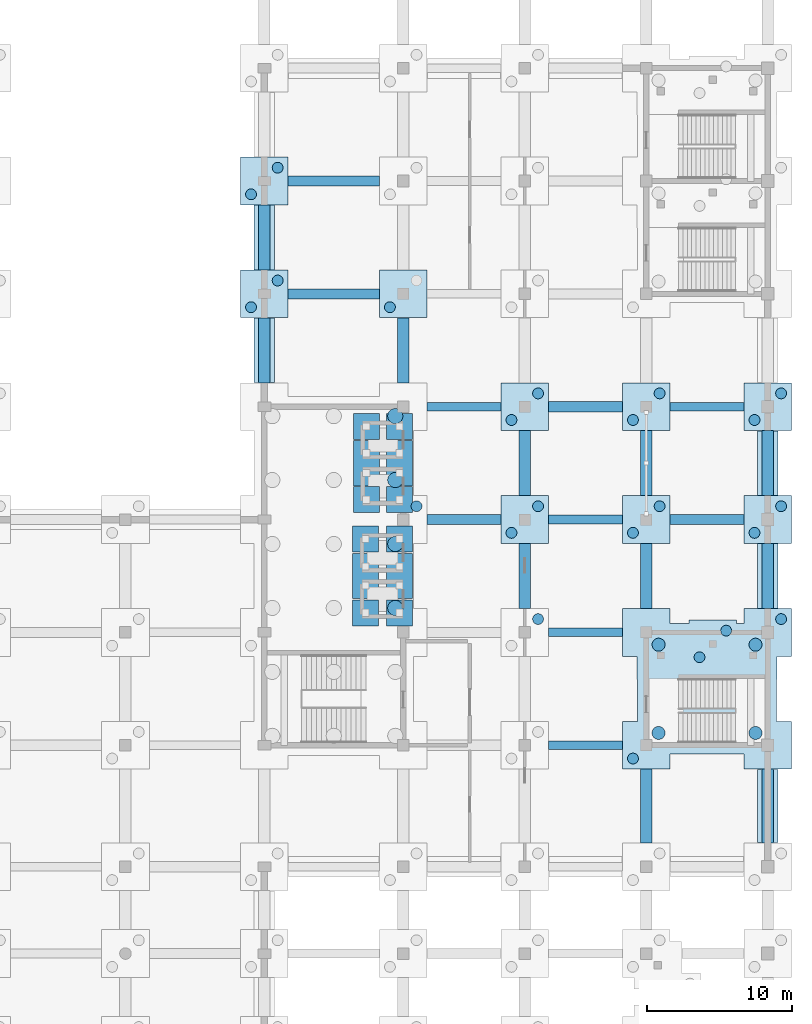
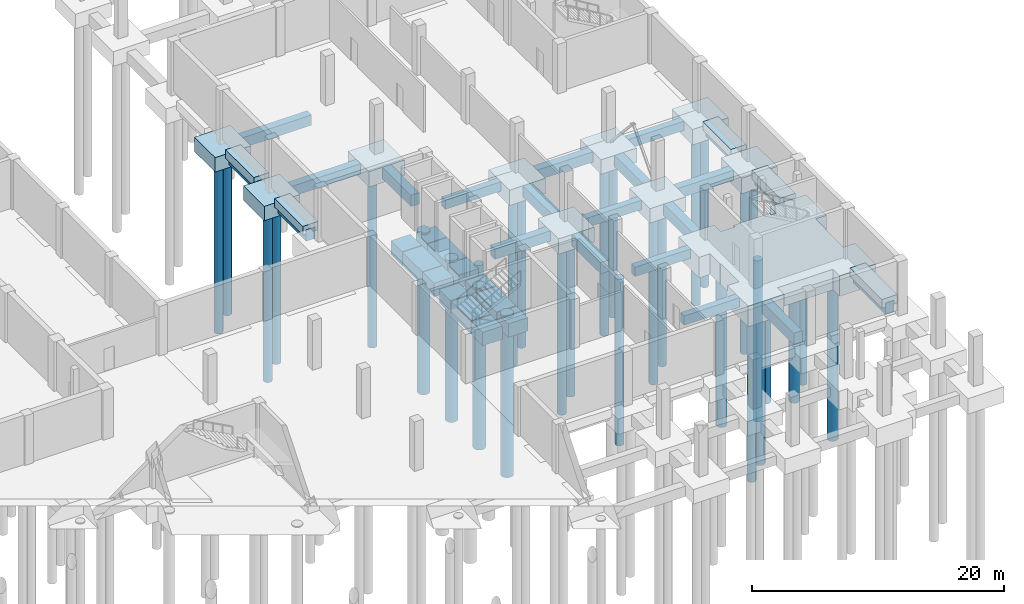
# One storey, part 13 of 42: 48 footings, 31 piles.
"""IFC4 building model written with IfcOpenShell, lengths in metres."""

from ifc_helpers import new_model, si_unit, direction, frame, origin, origin_2d, place, context, subcontext, project, spatial, polyline, rectangle, circle, outline, extrude, material, layer, layer_set, material_profile, profile_set, type_object, element, save


model = new_model("IFC4")

# Units and contexts
model_context = context("Model", 3, precision=1e-05, world=origin(), true_north=direction((0.0, 1.0)))
body_context = subcontext(model_context, "Body", "Model", "MODEL_VIEW")
ifc_project = project(units=[si_unit("LENGTHUNIT", "METRE"), si_unit("AREAUNIT", "SQUARE_METRE"), si_unit("VOLUMEUNIT", "CUBIC_METRE"), si_unit("PLANEANGLEUNIT", "RADIAN"), si_unit("MASSUNIT", "GRAM", prefix="KILO")], contexts=[model_context])

# Site, building, storey
site_placement = place(None, origin())
site = spatial("IfcSite", under=ifc_project, at=site_placement, CompositionType="ELEMENT")
building_placement = place(site_placement, origin())
building = spatial("IfcBuilding", under=site, at=building_placement, Name="Pellamere Symphony Hall", CompositionType="ELEMENT")
storey_placement = place(building_placement, frame((0.0, 0.0, -4.800048828125)))
storey = spatial("IfcBuildingStorey", under=building, at=storey_placement, Name="B1", CompositionType="ELEMENT", Elevation=-4.800048828125)

# Piles
ifc_material_1 = material(Name="Concrete 40 MPa", Category="concrete")
ifc_material_profile_1 = material_profile(ifc_material_1, circle(Radius=0.52490234375, at=origin_2d()), Name="PILE D1050")
ifc_profile_set_1 = profile_set([ifc_material_profile_1], Name="Concrete 40 MPa")
pile_type_1 = type_object("IfcPileType", Name="Bored Pile 1050mm Concrete 40 MPa", PredefinedType="BORED", material=ifc_profile_set_1)
for number, where, z_axis, x_axis, name in (
    (1, (147.050048828125, 47.889892578125, -2.300048828125), (0.0, 0.0, -1.0), (1.0, 0.0, 0.0), "Bored Pile BP-1050-P263"),
    (2, (147.050048828125, 52.31005859375, -2.300048828125), (0.0, 0.0, -1.0), (1.0, 0.0, 0.0), "Bored Pile BP-1050-P264"),
    (3, (147.050048828125, 56.72998046875, -2.300048828125), (0.0, 0.0, -1.0), (1.0, 0.0, 0.0), "Bored Pile BP-1050-P265"),
    (4, (147.050048828125, 61.14990234375, -2.300048828125), (0.0, 0.0, -1.0), (1.0, 0.0, 0.0), "Bored Pile BP-1050-P266"),
):
    element("IfcPile", number, at=place(storey_placement, frame(where, z_axis=z_axis, x_axis=x_axis)), inside=storey, type_object=pile_type_1, Name=name, PredefinedType="BORED", context=body_context, shape_type="SweptSolid", body=[
        extrude(circle(Radius=0.52490234375, at=origin_2d()), origin(), (0.0, 0.0, 1.0), 15.699951171875),
    ])
ifc_material_2 = material(Name="Concrete 35 MPa", Category="concrete")
ifc_material_profile_2 = material_profile(ifc_material_2, circle(Radius=0.375, at=origin_2d()), Name="PILE D750")
ifc_profile_set_2 = profile_set([ifc_material_profile_2], Name="Concrete 35 MPa")
pile_type_2 = type_object("IfcPileType", Name="Bored Pile 750mm Concrete 35 MPa", PredefinedType="BORED", material=ifc_profile_set_2)
pile_1_placement = place(storey_placement, frame((148.52001953125, 54.919921875, -2.300048828125), z_axis=(0.0, 0.0, -1.0), x_axis=(1.0, 0.0, 0.0)))
element("IfcPile", 5, at=pile_1_placement, inside=storey, type_object=pile_type_2, Name="Bored Pile BP-750-P268", PredefinedType="BORED", context=body_context, shape_type="SweptSolid", body=[
    extrude(circle(Radius=0.375, at=origin_2d()), origin(), (0.0, 0.0, 1.0), 15.699951171875),
])
for number, where, z_axis, x_axis, name in (
    (6, (163.47998046875, 37.47998046875, -2.349853515625), (0.0, 0.0, -1.0), (1.0, 0.0, 0.0), "Bored Pile BP-750-P275"),
    (7, (173.719970703125, 47.1201171875, -2.349853515625), (0.0, 0.0, -1.0), (1.0, 0.0, 0.0), "Bored Pile BP-750-P276"),
    (8, (168.080078125, 44.47998046875, -2.349853515625), (0.0, 0.0, -1.0), (1.0, 0.0, 0.0), "Bored Pile BP-750-P277"),
    (9, (169.919921875, 46.320068359375, -2.349853515625), (0.0, 0.0, -1.0), (1.0, 0.0, 0.0), "Bored Pile BP-750-P278"),
):
    element("IfcPile", number, at=place(storey_placement, frame(where, z_axis=z_axis, x_axis=x_axis)), inside=storey, type_object=pile_type_2, Name=name, PredefinedType="BORED", context=body_context, shape_type="SweptSolid", body=[
        extrude(circle(Radius=0.375, at=origin_2d()), origin(), (0.0, 0.0, 1.0), 15.64990234375),
    ])
for number, where, z_axis, x_axis, name in (
    (10, (156.919921875, 47.1201171875, -1.849853515625), (0.0, 0.0, -1.0), (1.0, 0.0, 0.0), "Bored Pile BP-750-P316"),
    (11, (155.080078125, 53.080078125, -1.849853515625), (0.0, 0.0, -1.0), (1.0, 0.0, 0.0), "Bored Pile BP-750-P339"),
    (12, (156.919921875, 54.919921875, -1.849853515625), (0.0, 0.0, -1.0), (1.0, 0.0, 0.0), "Bored Pile BP-750-P340"),
):
    element("IfcPile", number, at=place(storey_placement, frame(where, z_axis=z_axis, x_axis=x_axis)), inside=storey, type_object=pile_type_2, Name=name, PredefinedType="BORED", context=body_context, shape_type="SweptSolid", body=[
        extrude(circle(Radius=0.375, at=origin_2d()), origin(), (0.0, 0.0, 1.0), 16.14990234375),
    ])
for number, where, z_axis, x_axis, name in (
    (13, (163.47998046875, 53.080078125, -1.75), (0.0, 0.0, -1.0), (1.0, 0.0, 0.0), "Bored Pile BP-750-P341"),
    (14, (165.320068359375, 54.919921875, -1.75), (0.0, 0.0, -1.0), (1.0, 0.0, 0.0), "Bored Pile BP-750-P342"),
):
    element("IfcPile", number, at=place(storey_placement, frame(where, z_axis=z_axis, x_axis=x_axis)), inside=storey, type_object=pile_type_2, Name=name, PredefinedType="BORED", context=body_context, shape_type="SweptSolid", body=[
        extrude(circle(Radius=0.375, at=origin_2d()), origin(), (0.0, 0.0, 1.0), 16.25),
    ])
for number, where, z_axis, x_axis, name in (
    (15, (171.8798828125, 53.080078125, -1.849853515625), (0.0, 0.0, -1.0), (1.0, 0.0, 0.0), "Bored Pile BP-750-P343"),
    (16, (173.719970703125, 54.919921875, -1.849853515625), (0.0, 0.0, -1.0), (1.0, 0.0, 0.0), "Bored Pile BP-750-P344"),
    (17, (155.080078125, 60.8798828125, -1.849853515625), (0.0, 0.0, -1.0), (1.0, 0.0, 0.0), "Bored Pile BP-750-P378"),
    (18, (156.919921875, 62.719970703125, -1.849853515625), (0.0, 0.0, -1.0), (1.0, 0.0, 0.0), "Bored Pile BP-750-P379"),
):
    element("IfcPile", number, at=place(storey_placement, frame(where, z_axis=z_axis, x_axis=x_axis)), inside=storey, type_object=pile_type_2, Name=name, PredefinedType="BORED", context=body_context, shape_type="SweptSolid", body=[
        extrude(circle(Radius=0.375, at=origin_2d()), origin(), (0.0, 0.0, 1.0), 16.14990234375),
    ])
for number, where, z_axis, x_axis, name in (
    (19, (163.47998046875, 60.8798828125, -1.75), (0.0, 0.0, -1.0), (1.0, 0.0, 0.0), "Bored Pile BP-750-P380"),
    (20, (165.320068359375, 62.719970703125, -1.75), (0.0, 0.0, -1.0), (1.0, 0.0, 0.0), "Bored Pile BP-750-P381"),
):
    element("IfcPile", number, at=place(storey_placement, frame(where, z_axis=z_axis, x_axis=x_axis)), inside=storey, type_object=pile_type_2, Name=name, PredefinedType="BORED", context=body_context, shape_type="SweptSolid", body=[
        extrude(circle(Radius=0.375, at=origin_2d()), origin(), (0.0, 0.0, 1.0), 16.25),
    ])
for number, where, z_axis, x_axis, name in (
    (21, (171.8798828125, 60.8798828125, -1.849853515625), (0.0, 0.0, -1.0), (1.0, 0.0, 0.0), "Bored Pile BP-750-P382"),
    (22, (173.719970703125, 62.719970703125, -1.849853515625), (0.0, 0.0, -1.0), (1.0, 0.0, 0.0), "Bored Pile BP-750-P383"),
):
    element("IfcPile", number, at=place(storey_placement, frame(where, z_axis=z_axis, x_axis=x_axis)), inside=storey, type_object=pile_type_2, Name=name, PredefinedType="BORED", context=body_context, shape_type="SweptSolid", body=[
        extrude(circle(Radius=0.375, at=origin_2d()), origin(), (0.0, 0.0, 1.0), 16.14990234375),
    ])
for number, where, z_axis, x_axis, name in (
    (23, (137.080078125, 68.679931640625, -1.75), (0.0, 0.0, -1.0), (1.0, 0.0, 0.0), "Bored Pile BP-750-P401"),
    (24, (138.919921875, 70.52001953125, -1.75), (0.0, 0.0, -1.0), (1.0, 0.0, 0.0), "Bored Pile BP-750-P402"),
):
    element("IfcPile", number, at=place(storey_placement, frame(where, z_axis=z_axis, x_axis=x_axis)), inside=storey, type_object=pile_type_2, Name=name, PredefinedType="BORED", context=body_context, shape_type="SweptSolid", body=[
        extrude(circle(Radius=0.375, at=origin_2d()), origin(), (0.0, 0.0, 1.0), 16.25),
    ])
pile_2_placement = place(storey_placement, frame((146.679931640625, 68.679931640625, -1.849853515625), z_axis=(0.0, 0.0, -1.0), x_axis=(1.0, 0.0, 0.0)))
element("IfcPile", 25, at=pile_2_placement, inside=storey, type_object=pile_type_2, Name="Bored Pile BP-750-P403", PredefinedType="BORED", context=body_context, shape_type="SweptSolid", body=[
    extrude(circle(Radius=0.375, at=origin_2d()), origin(), (0.0, 0.0, 1.0), 16.14990234375),
])
for number, where, z_axis, x_axis, name in (
    (26, (137.080078125, 76.47998046875, -1.75), (0.0, 0.0, -1.0), (1.0, 0.0, 0.0), "Bored Pile BP-750-P476"),
    (27, (138.919921875, 78.320068359375, -1.75), (0.0, 0.0, -1.0), (1.0, 0.0, 0.0), "Bored Pile BP-750-P477"),
):
    element("IfcPile", number, at=place(storey_placement, frame(where, z_axis=z_axis, x_axis=x_axis)), inside=storey, type_object=pile_type_2, Name=name, PredefinedType="BORED", context=body_context, shape_type="SweptSolid", body=[
        extrude(circle(Radius=0.375, at=origin_2d()), origin(), (0.0, 0.0, 1.0), 16.25),
    ])
ifc_material_profile_3 = material_profile(ifc_material_1, circle(Radius=0.449951171875, at=origin_2d()), Name="PILE D900")
ifc_profile_set_3 = profile_set([ifc_material_profile_3], Name="Concrete 40 MPa")
pile_type_3 = type_object("IfcPileType", Name="Bored Pile 900mm Concrete 40 MPa", PredefinedType="BORED", material=ifc_profile_set_3)
for number, where, z_axis, x_axis, name in (
    (28, (165.25, 39.25, -2.349853515625), (0.0, 0.0, -1.0), (1.0, 0.0, 0.0), "Bored Pile BP-900-P271"),
    (29, (171.949951171875, 39.25, -2.349853515625), (0.0, 0.0, -1.0), (1.0, 0.0, 0.0), "Bored Pile BP-900-P272"),
    (30, (165.25, 45.35009765625, -2.349853515625), (0.0, 0.0, -1.0), (1.0, 0.0, 0.0), "Bored Pile BP-900-P273"),
    (31, (171.949951171875, 45.35009765625, -2.349853515625), (0.0, 0.0, -1.0), (1.0, 0.0, 0.0), "Bored Pile BP-900-P274"),
):
    element("IfcPile", number, at=place(storey_placement, frame(where, z_axis=z_axis, x_axis=x_axis)), inside=storey, type_object=pile_type_3, Name=name, PredefinedType="BORED", context=body_context, shape_type="SweptSolid", body=[
        extrude(circle(Radius=0.449951171875, at=origin_2d()), origin(), (0.0, 0.0, 1.0), 15.64990234375),
    ])

# Footings
ifc_layer_1 = layer(ifc_material_1, 1.300048828125, Name="Concrete 40 MPa")
ifc_layer_set_1 = layer_set([ifc_layer_1], Name="Concrete 40 MPa")
footing_type_1 = type_object("IfcFootingType", Name="Concrete Pad Footing PF-01 1800x1800x1300", PredefinedType="PAD_FOOTING", material=ifc_layer_set_1)
footing_1_placement = place(storey_placement, frame((0.0, 0.0, -3.780029296875)))
element("IfcFooting", 32, at=footing_1_placement, inside=storey, type_object=footing_type_1, Name="Elevator Sub-Pit Pad Footing PF-01-229", PredefinedType="PAD_FOOTING", context=body_context, shape_type="SweptSolid", body=[
    extrude(outline(polyline([(144.10009765625, 46.64990234375), (144.10009765625, 48.449951171875), (145.89990234375, 48.449951171875), (145.89990234375, 46.64990234375), (144.10009765625, 46.64990234375)])), origin(), (0.0, 0.0, 1.0), 1.300048828125),
])
footing_2_placement = place(storey_placement, frame((0.0, 0.0, -3.780029296875)))
element("IfcFooting", 33, at=footing_2_placement, inside=storey, type_object=footing_type_1, Name="Elevator Sub-Pit Pad Footing PF-01-231", PredefinedType="PAD_FOOTING", context=body_context, shape_type="SweptSolid", body=[
    extrude(outline(polyline([(144.10009765625, 48.550048828125), (144.10009765625, 49.85009765625), (144.10009765625, 50.35009765625), (144.10009765625, 51.64990234375), (145.89990234375, 51.64990234375), (145.89990234375, 50.35009765625), (145.89990234375, 49.85009765625), (145.89990234375, 48.550048828125), (144.10009765625, 48.550048828125)])), origin(), (0.0, 0.0, 1.0), 1.300048828125),
])
footing_3_placement = place(storey_placement, frame((0.0, 0.0, -3.780029296875)))
element("IfcFooting", 34, at=footing_3_placement, inside=storey, type_object=footing_type_1, Name="Elevator Sub-Pit Pad Footing PF-01-232", PredefinedType="PAD_FOOTING", context=body_context, shape_type="SweptSolid", body=[
    extrude(outline(polyline([(146.449951171875, 48.550048828125), (146.449951171875, 49.85009765625), (146.449951171875, 50.35009765625), (146.449951171875, 51.64990234375), (148.25, 51.64990234375), (148.25, 50.35009765625), (148.25, 49.85009765625), (148.25, 48.550048828125), (146.449951171875, 48.550048828125)])), origin(), (0.0, 0.0, 1.0), 1.300048828125),
])
footing_4_placement = place(storey_placement, frame((0.0, 0.0, -3.780029296875)))
element("IfcFooting", 35, at=footing_4_placement, inside=storey, type_object=footing_type_1, Name="Elevator Sub-Pit Pad Footing PF-01-233", PredefinedType="PAD_FOOTING", context=body_context, shape_type="SweptSolid", body=[
    extrude(outline(polyline([(144.10009765625, 51.75), (144.10009765625, 53.550048828125), (145.89990234375, 53.550048828125), (145.89990234375, 51.75), (144.10009765625, 51.75)])), origin(), (0.0, 0.0, 1.0), 1.300048828125),
])
footing_5_placement = place(storey_placement, frame((0.0, 0.0, -3.780029296875)))
element("IfcFooting", 36, at=footing_5_placement, inside=storey, type_object=footing_type_1, Name="Elevator Sub-Pit Pad Footing PF-01-235", PredefinedType="PAD_FOOTING", context=body_context, shape_type="SweptSolid", body=[
    extrude(outline(polyline([(144.14990234375, 54.47509765625), (144.14990234375, 56.27490234375), (145.949951171875, 56.27490234375), (145.949951171875, 54.47509765625), (144.14990234375, 54.47509765625)])), origin(), (0.0, 0.0, 1.0), 1.300048828125),
])
footing_6_placement = place(storey_placement, frame((0.0, 0.0, -3.780029296875)))
element("IfcFooting", 37, at=footing_6_placement, inside=storey, type_object=footing_type_1, Name="Elevator Sub-Pit Pad Footing PF-01-236", PredefinedType="PAD_FOOTING", context=body_context, shape_type="SweptSolid", body=[
    extrude(outline(polyline([(146.449951171875, 54.47509765625), (146.449951171875, 56.27490234375), (148.25, 56.27490234375), (148.25, 54.47509765625), (146.449951171875, 54.47509765625)])), origin(), (0.0, 0.0, 1.0), 1.300048828125),
])
footing_7_placement = place(storey_placement, frame((0.0, 0.0, -3.780029296875)))
element("IfcFooting", 38, at=footing_7_placement, inside=storey, type_object=footing_type_1, Name="Elevator Sub-Pit Pad Footing PF-01-237", PredefinedType="PAD_FOOTING", context=body_context, shape_type="SweptSolid", body=[
    extrude(outline(polyline([(144.14990234375, 56.324951171875), (144.14990234375, 57.675048828125), (144.14990234375, 58.125), (144.14990234375, 59.47509765625), (145.949951171875, 59.47509765625), (145.949951171875, 58.125), (145.949951171875, 57.675048828125), (145.949951171875, 56.324951171875), (144.14990234375, 56.324951171875)])), origin(), (0.0, 0.0, 1.0), 1.300048828125),
])
footing_8_placement = place(storey_placement, frame((0.0, 0.0, -3.780029296875)))
element("IfcFooting", 39, at=footing_8_placement, inside=storey, type_object=footing_type_1, Name="Elevator Sub-Pit Pad Footing PF-01-239", PredefinedType="PAD_FOOTING", context=body_context, shape_type="SweptSolid", body=[
    extrude(outline(polyline([(144.14990234375, 59.52490234375), (144.14990234375, 61.324951171875), (145.949951171875, 61.324951171875), (145.949951171875, 59.52490234375), (144.14990234375, 59.52490234375)])), origin(), (0.0, 0.0, 1.0), 1.300048828125),
])
ifc_material_profile_4 = material_profile(ifc_material_1, rectangle(XDim=0.60009765625, YDim=0.89990234375, at=origin_2d()), Name="RC 600x900")
ifc_profile_set_4 = profile_set([ifc_material_profile_4], Name="Concrete 40 MPa")
footing_type_2 = type_object("IfcFootingType", Name="Foundation FB-01 600x900", PredefinedType="FOOTING_BEAM", material=ifc_profile_set_4)
for number, where, z_axis, x_axis, name in (
    (40, (157.652099609375, 38.39990234375, -0.89990234375), (1.0, 0.0, 0.0), (0.0, 1.0, 0.0), "Foundation Beam FB-01-136"),
    (41, (157.652099609375, 46.199951171875, -0.89990234375), (1.0, 0.0, 0.0), (0.0, 1.0, 0.0), "Foundation Beam FB-01-154"),
    (42, (157.652099609375, 54.0, -0.89990234375), (1.0, 0.0, 0.0), (0.0, 1.0, 0.0), "Foundation Beam FB-01-166"),
    (43, (149.251953125, 61.800048828125, -0.89990234375), (1.0, 0.0, 0.0), (0.0, 1.0, 0.0), "Foundation Beam FB-01-170"),
    (44, (166.052001953125, 61.800048828125, -0.89990234375), (1.0, 0.0, 0.0), (0.0, 1.0, 0.0), "Foundation Beam FB-01-172"),
):
    element("IfcFooting", number, at=place(storey_placement, frame(where, z_axis=z_axis, x_axis=x_axis)), inside=storey, type_object=footing_type_2, Name=name, PredefinedType="FOOTING_BEAM", context=body_context, shape_type="SweptSolid", body=[
        extrude(rectangle(XDim=0.60009765625, YDim=0.89990234375, at=origin_2d()), origin(), (0.0, 0.0, 1.0), 5.095947265625),
    ])
ifc_material_profile_5 = material_profile(ifc_material_1, rectangle(XDim=0.699951171875, YDim=1.0, at=origin_2d()), Name="RC 700x1000")
ifc_profile_set_5 = profile_set([ifc_material_profile_5], Name="Concrete 40 MPa")
footing_type_3 = type_object("IfcFootingType", Name="Foundation FB-02 700x1000", PredefinedType="FOOTING_BEAM", material=ifc_profile_set_5)
for number, where, z_axis, x_axis, name in (
    (45, (149.251953125, 54.0, -0.949951171875), (1.0, 0.0, 0.0), (0.0, 1.0, 0.0), "Foundation Beam FB-02-165"),
    (46, (166.052001953125, 54.0, -0.949951171875), (1.0, 0.0, 0.0), (0.0, 1.0, 0.0), "Foundation Beam FB-02-167"),
    (47, (157.652099609375, 61.800048828125, -0.949951171875), (1.0, 0.0, 0.0), (0.0, 1.0, 0.0), "Foundation Beam FB-02-171"),
):
    element("IfcFooting", number, at=place(storey_placement, frame(where, z_axis=z_axis, x_axis=x_axis)), inside=storey, type_object=footing_type_3, Name=name, PredefinedType="FOOTING_BEAM", context=body_context, shape_type="SweptSolid", body=[
        extrude(rectangle(XDim=0.699951171875, YDim=1.0, at=origin_2d()), origin(), (0.0, 0.0, 1.0), 5.095947265625),
    ])
for number, where, z_axis, x_axis, name in (
    (48, (139.652099609375, 69.60009765625, -0.949951171875), (1.0, 0.0, 0.0), (0.0, 1.0, 0.0), "Foundation Beam FB-02-175"),
    (49, (139.652099609375, 77.39990234375, -0.949951171875), (1.0, 0.0, 0.0), (0.0, 1.0, 0.0), "Foundation Beam FB-02-185"),
):
    element("IfcFooting", number, at=place(storey_placement, frame(where, z_axis=z_axis, x_axis=x_axis)), inside=storey, type_object=footing_type_3, Name=name, PredefinedType="FOOTING_BEAM", context=body_context, shape_type="SweptSolid", body=[
        extrude(rectangle(XDim=0.699951171875, YDim=1.0, at=origin_2d()), origin(), (0.0, 0.0, 1.0), 6.2958984375),
    ])
ifc_material_profile_6 = material_profile(ifc_material_1, rectangle(XDim=0.800048828125, YDim=1.10009765625, at=origin_2d()), Name="RC 800x1100")
ifc_profile_set_6 = profile_set([ifc_material_profile_6], Name="Concrete 40 MPa")
footing_type_4 = type_object("IfcFootingType", Name="Foundation FB-03 800x1100", PredefinedType="FOOTING_BEAM", material=ifc_profile_set_6)
for number, where, z_axis, x_axis, name in (
    (50, (138.0, 63.451904296875, -1.0), (0.0, 1.0, 0.0), (-1.0, 0.0, 0.0), "Foundation Beam FB-03-355"),
    (51, (138.0, 71.251953125, -1.0), (0.0, 1.0, 0.0), (-1.0, 0.0, 0.0), "Foundation Beam FB-03-356"),
    (52, (147.60009765625, 63.451904296875, -1.0), (0.0, 1.0, 0.0), (-1.0, 0.0, 0.0), "Foundation Beam FB-03-363"),
):
    element("IfcFooting", number, at=place(storey_placement, frame(where, z_axis=z_axis, x_axis=x_axis)), inside=storey, type_object=footing_type_4, Name=name, PredefinedType="FOOTING_BEAM", context=body_context, shape_type="SweptSolid", body=[
        extrude(rectangle(XDim=0.800048828125, YDim=1.10009765625, at=origin_2d()), origin(), (0.0, 0.0, 1.0), 4.49609375),
    ])
for number, where, z_axis, x_axis, name in (
    (53, (156.0, 47.85205078125, -1.0), (0.0, 1.0, 0.0), (-1.0, 0.0, 0.0), "Foundation Beam FB-03-372"),
    (54, (156.0, 55.652099609375, -1.0), (0.0, 1.0, 0.0), (-1.0, 0.0, 0.0), "Foundation Beam FB-03-373"),
):
    element("IfcFooting", number, at=place(storey_placement, frame(where, z_axis=z_axis, x_axis=x_axis)), inside=storey, type_object=footing_type_4, Name=name, PredefinedType="FOOTING_BEAM", context=body_context, shape_type="SweptSolid", body=[
        extrude(rectangle(XDim=0.800048828125, YDim=1.10009765625, at=origin_2d()), origin(), (0.0, 0.0, 1.0), 4.495849609375),
    ])
footing_9_placement = place(storey_placement, frame((164.39990234375, 31.652099609375, -1.0), z_axis=(0.0, 1.0, 0.0), x_axis=(-1.0, 0.0, 0.0)))
element("IfcFooting", 55, at=footing_9_placement, inside=storey, type_object=footing_type_4, Name="Foundation Beam FB-03-381", PredefinedType="FOOTING_BEAM", context=body_context, shape_type="SweptSolid", body=[
    extrude(rectangle(XDim=0.800048828125, YDim=1.10009765625, at=origin_2d()), origin(), (0.0, 0.0, 1.0), 5.095947265625),
])
for number, where, z_axis, x_axis, name in (
    (56, (164.39990234375, 47.85205078125, -1.0), (0.0, 1.0, 0.0), (-1.0, 0.0, 0.0), "Foundation Beam FB-03-382"),
    (57, (164.39990234375, 55.652099609375, -1.0), (0.0, 1.0, 0.0), (-1.0, 0.0, 0.0), "Foundation Beam FB-03-383"),
):
    element("IfcFooting", number, at=place(storey_placement, frame(where, z_axis=z_axis, x_axis=x_axis)), inside=storey, type_object=footing_type_4, Name=name, PredefinedType="FOOTING_BEAM", context=body_context, shape_type="SweptSolid", body=[
        extrude(rectangle(XDim=0.800048828125, YDim=1.10009765625, at=origin_2d()), origin(), (0.0, 0.0, 1.0), 4.495849609375),
    ])
footing_10_placement = place(storey_placement, frame((172.800048828125, 31.652099609375, -1.0), z_axis=(0.0, 1.0, 0.0), x_axis=(-1.0, 0.0, 0.0)))
element("IfcFooting", 58, at=footing_10_placement, inside=storey, type_object=footing_type_4, Name="Foundation Beam FB-03-389", PredefinedType="FOOTING_BEAM", context=body_context, shape_type="SweptSolid", body=[
    extrude(rectangle(XDim=0.800048828125, YDim=1.10009765625, at=origin_2d()), origin(), (0.0, 0.0, 1.0), 5.095947265625),
])
for number, where, z_axis, x_axis, name in (
    (59, (172.800048828125, 47.85205078125, -1.0), (0.0, 1.0, 0.0), (-1.0, 0.0, 0.0), "Foundation Beam FB-03-390"),
    (60, (172.800048828125, 55.652099609375, -1.0), (0.0, 1.0, 0.0), (-1.0, 0.0, 0.0), "Foundation Beam FB-03-391"),
):
    element("IfcFooting", number, at=place(storey_placement, frame(where, z_axis=z_axis, x_axis=x_axis)), inside=storey, type_object=footing_type_4, Name=name, PredefinedType="FOOTING_BEAM", context=body_context, shape_type="SweptSolid", body=[
        extrude(rectangle(XDim=0.800048828125, YDim=1.10009765625, at=origin_2d()), origin(), (0.0, 0.0, 1.0), 4.495849609375),
    ])
ifc_material_profile_7 = material_profile(ifc_material_1, rectangle(XDim=1.39990234375, YDim=0.85009765625, at=origin_2d()), Name="RC 1400x850")
ifc_profile_set_7 = profile_set([ifc_material_profile_7], Name="Concrete 40 MPa")
footing_type_5 = type_object("IfcFootingType", Name="Foundation SF-02 1400x850", PredefinedType="STRIP_FOOTING", material=ifc_profile_set_7)
footing_11_placement = place(storey_placement, frame((138.0, 63.465087890625, -0.425048828125), z_axis=(0.0, 1.0, 0.0), x_axis=(-1.0, 0.0, 0.0)))
element("IfcFooting", 61, at=footing_11_placement, inside=storey, type_object=footing_type_5, Name="Foundation Beam SF-02-026", PredefinedType="STRIP_FOOTING", context=body_context, shape_type="SweptSolid", body=[
    extrude(rectangle(XDim=1.39990234375, YDim=0.85009765625, at=origin_2d()), origin(), (0.0, 0.0, 1.0), 4.469970703125),
])
footing_12_placement = place(storey_placement, frame((138.0, 71.264892578125, -0.425048828125), z_axis=(0.0, 1.0, 0.0), x_axis=(-1.0, 0.0, 0.0)))
element("IfcFooting", 62, at=footing_12_placement, inside=storey, type_object=footing_type_5, Name="Foundation Beam SF-02-027", PredefinedType="STRIP_FOOTING", context=body_context, shape_type="SweptSolid", body=[
    extrude(rectangle(XDim=1.39990234375, YDim=0.85009765625, at=origin_2d()), origin(), (0.0, 0.0, 1.0), 4.47021484375),
])
for number, where, z_axis, x_axis, name in (
    (63, (172.800048828125, 60.135009765625, -0.425048828125), (0.0, -1.0, 0.0), (1.0, 0.0, 0.0), "Foundation Beam SF-02-033"),
    (64, (172.800048828125, 52.3349609375, -0.425048828125), (0.0, -1.0, 0.0), (1.0, 0.0, 0.0), "Foundation Beam SF-02-034"),
):
    element("IfcFooting", number, at=place(storey_placement, frame(where, z_axis=z_axis, x_axis=x_axis)), inside=storey, type_object=footing_type_5, Name=name, PredefinedType="STRIP_FOOTING", context=body_context, shape_type="SweptSolid", body=[
        extrude(rectangle(XDim=1.39990234375, YDim=0.85009765625, at=origin_2d()), origin(), (0.0, 0.0, 1.0), 4.469970703125),
    ])
footing_13_placement = place(storey_placement, frame((172.800048828125, 36.735107421875, -0.425048828125), z_axis=(0.0, -1.0, 0.0), x_axis=(1.0, 0.0, 0.0)))
element("IfcFooting", 65, at=footing_13_placement, inside=storey, type_object=footing_type_5, Name="Foundation Beam SF-02-035", PredefinedType="STRIP_FOOTING", context=body_context, shape_type="SweptSolid", body=[
    extrude(rectangle(XDim=1.39990234375, YDim=0.85009765625, at=origin_2d()), origin(), (0.0, 0.0, 1.0), 5.070068359375),
])
ifc_layer_2 = layer(ifc_material_1, 1.300048828125, Name="Concrete 40 MPa")
ifc_layer_set_2 = layer_set([ifc_layer_2], Name="Concrete 40 MPa")
footing_type_6 = type_object("IfcFootingType", Name="Pile Cap PC-01 1800x1800x1300", PredefinedType="PILE_CAP", material=ifc_layer_set_2)
footing_14_placement = place(storey_placement, frame((0.0, 0.0, -3.780029296875)))
element("IfcFooting", 66, at=footing_14_placement, inside=storey, type_object=footing_type_6, Name="Elevator Sub-Pit Pile Cap PC-01-230", PredefinedType="PILE_CAP", context=body_context, shape_type="SweptSolid", body=[
    extrude(outline(polyline([(146.449951171875, 46.64990234375), (146.449951171875, 48.449951171875), (148.25, 48.449951171875), (148.25, 46.64990234375), (146.449951171875, 46.64990234375)])), origin(), (0.0, 0.0, 1.0), 1.300048828125),
])
footing_15_placement = place(storey_placement, frame((0.0, 0.0, -3.780029296875)))
element("IfcFooting", 67, at=footing_15_placement, inside=storey, type_object=footing_type_6, Name="Elevator Sub-Pit Pile Cap PC-01-234", PredefinedType="PILE_CAP", context=body_context, shape_type="SweptSolid", body=[
    extrude(outline(polyline([(146.449951171875, 51.75), (146.449951171875, 53.550048828125), (148.25, 53.550048828125), (148.25, 51.75), (146.449951171875, 51.75)])), origin(), (0.0, 0.0, 1.0), 1.300048828125),
])
footing_16_placement = place(storey_placement, frame((0.0, 0.0, -3.780029296875)))
element("IfcFooting", 68, at=footing_16_placement, inside=storey, type_object=footing_type_6, Name="Elevator Sub-Pit Pile Cap PC-01-238", PredefinedType="PILE_CAP", context=body_context, shape_type="SweptSolid", body=[
    extrude(outline(polyline([(146.449951171875, 56.324951171875), (146.449951171875, 57.675048828125), (146.449951171875, 58.125), (146.449951171875, 59.47509765625), (148.25, 59.47509765625), (148.25, 58.125), (148.25, 57.675048828125), (148.25, 56.324951171875), (146.449951171875, 56.324951171875)])), origin(), (0.0, 0.0, 1.0), 1.300048828125),
])
footing_17_placement = place(storey_placement, frame((0.0, 0.0, -3.780029296875)))
element("IfcFooting", 69, at=footing_17_placement, inside=storey, type_object=footing_type_6, Name="Elevator Sub-Pit Pile Cap PC-01-240", PredefinedType="PILE_CAP", context=body_context, shape_type="SweptSolid", body=[
    extrude(outline(polyline([(146.449951171875, 59.52490234375), (146.449951171875, 61.324951171875), (148.25, 61.324951171875), (148.25, 59.52490234375), (146.449951171875, 59.52490234375)])), origin(), (0.0, 0.0, 1.0), 1.300048828125),
])
ifc_layer_3 = layer(ifc_material_1, 1.39990234375, Name="Concrete 40 MPa")
ifc_layer_set_3 = layer_set([ifc_layer_3], Name="Concrete 40 MPa")
footing_type_7 = type_object("IfcFootingType", Name="Pile Cap PC-02 3300x3300x1400", PredefinedType="PILE_CAP", material=ifc_layer_set_3)
footing_18_placement = place(storey_placement, frame((0.0, 0.0, -1.849853515625)))
element("IfcFooting", 70, at=footing_18_placement, inside=storey, type_object=footing_type_7, Name="Pile Cap PC-02-128", PredefinedType="PILE_CAP", context=body_context, shape_type="SweptSolid", body=[
    extrude(outline(polyline([(162.75, 52.35009765625), (162.75, 55.64990234375), (166.050048828125, 55.64990234375), (166.050048828125, 52.35009765625), (162.75, 52.35009765625)])), origin(), (0.0, 0.0, 1.0), 1.39990234375),
])
footing_19_placement = place(storey_placement, frame((0.0, 0.0, -1.849853515625)))
element("IfcFooting", 71, at=footing_19_placement, inside=storey, type_object=footing_type_7, Name="Pile Cap PC-02-144", PredefinedType="PILE_CAP", context=body_context, shape_type="SweptSolid", body=[
    extrude(outline(polyline([(162.75, 60.14990234375), (162.75, 63.449951171875), (166.050048828125, 63.449951171875), (166.050048828125, 60.14990234375), (162.75, 60.14990234375)])), origin(), (0.0, 0.0, 1.0), 1.39990234375),
])
footing_20_placement = place(storey_placement, frame((0.0, 0.0, -1.849853515625)))
element("IfcFooting", 72, at=footing_20_placement, inside=storey, type_object=footing_type_7, Name="Pile Cap PC-02-154", PredefinedType="PILE_CAP", context=body_context, shape_type="SweptSolid", body=[
    extrude(outline(polyline([(139.64990234375, 67.949951171875), (136.35009765625, 67.949951171875), (136.35009765625, 71.25), (139.64990234375, 71.25), (139.64990234375, 67.949951171875)])), origin(), (0.0, 0.0, 1.0), 1.39990234375),
])
footing_21_placement = place(storey_placement, frame((0.0, 0.0, -1.849853515625)))
element("IfcFooting", 73, at=footing_21_placement, inside=storey, type_object=footing_type_7, Name="Pile Cap PC-02-166", PredefinedType="PILE_CAP", context=body_context, shape_type="SweptSolid", body=[
    extrude(outline(polyline([(136.35009765625, 75.75), (136.35009765625, 79.050048828125), (139.64990234375, 79.050048828125), (139.64990234375, 75.75), (136.35009765625, 75.75)])), origin(), (0.0, 0.0, 1.0), 1.39990234375),
])
ifc_layer_4 = layer(ifc_material_1, 1.5, Name="Concrete 40 MPa")
ifc_layer_set_4 = layer_set([ifc_layer_4], Name="Concrete 40 MPa")
footing_type_8 = type_object("IfcFootingType", Name="Pile Cap PC-03 3300x3300x1500", PredefinedType="PILE_CAP", material=ifc_layer_set_4)
footing_22_placement = place(storey_placement, frame((0.0, 0.0, -1.949951171875)))
element("IfcFooting", 74, at=footing_22_placement, inside=storey, type_object=footing_type_8, Name="Pile Cap PC-03-127", PredefinedType="PILE_CAP", context=body_context, shape_type="SweptSolid", body=[
    extrude(outline(polyline([(157.64990234375, 52.35009765625), (154.35009765625, 52.35009765625), (154.35009765625, 55.64990234375), (157.64990234375, 55.64990234375), (157.64990234375, 52.35009765625)])), origin(), (0.0, 0.0, 1.0), 1.5),
])
footing_23_placement = place(storey_placement, frame((0.0, 0.0, -1.949951171875)))
element("IfcFooting", 75, at=footing_23_placement, inside=storey, type_object=footing_type_8, Name="Pile Cap PC-03-129", PredefinedType="PILE_CAP", context=body_context, shape_type="SweptSolid", body=[
    extrude(outline(polyline([(171.14990234375, 52.35009765625), (171.14990234375, 55.64990234375), (174.449951171875, 55.64990234375), (174.449951171875, 52.35009765625), (171.14990234375, 52.35009765625)])), origin(), (0.0, 0.0, 1.0), 1.5),
])
footing_24_placement = place(storey_placement, frame((0.0, 0.0, -1.949951171875)))
element("IfcFooting", 76, at=footing_24_placement, inside=storey, type_object=footing_type_8, Name="Pile Cap PC-03-143", PredefinedType="PILE_CAP", context=body_context, shape_type="SweptSolid", body=[
    extrude(outline(polyline([(157.64990234375, 60.14990234375), (154.35009765625, 60.14990234375), (154.35009765625, 63.449951171875), (157.64990234375, 63.449951171875), (157.64990234375, 60.14990234375)])), origin(), (0.0, 0.0, 1.0), 1.5),
])
footing_25_placement = place(storey_placement, frame((0.0, 0.0, -1.949951171875)))
element("IfcFooting", 77, at=footing_25_placement, inside=storey, type_object=footing_type_8, Name="Pile Cap PC-03-145", PredefinedType="PILE_CAP", context=body_context, shape_type="SweptSolid", body=[
    extrude(outline(polyline([(171.14990234375, 60.14990234375), (171.14990234375, 63.449951171875), (174.449951171875, 63.449951171875), (174.449951171875, 60.14990234375), (171.14990234375, 60.14990234375)])), origin(), (0.0, 0.0, 1.0), 1.5),
])
footing_26_placement = place(storey_placement, frame((0.0, 0.0, -1.949951171875)))
element("IfcFooting", 78, at=footing_26_placement, inside=storey, type_object=footing_type_8, Name="Pile Cap PC-03-155", PredefinedType="PILE_CAP", context=body_context, shape_type="SweptSolid", body=[
    extrude(outline(polyline([(145.949951171875, 67.949951171875), (145.949951171875, 71.25), (149.25, 71.25), (149.25, 67.949951171875), (145.949951171875, 67.949951171875)])), origin(), (0.0, 0.0, 1.0), 1.5),
])
ifc_material_3 = material(Name="Concrete 50 MPa", Category="concrete")
ifc_layer_5 = layer(ifc_material_3, 2.0, Name="Concrete 50 MPa")
ifc_layer_set_5 = layer_set([ifc_layer_5], Name="Concrete 50 MPa")
footing_type_9 = type_object("IfcFootingType", Name="Pile Cap PC-10 5500x12300x2000", PredefinedType="PILE_CAP", material=ifc_layer_set_5)
footing_27_placement = place(storey_placement, frame((0.0, 0.0, -2.449951171875)))
element("IfcFooting", 79, at=footing_27_placement, inside=storey, type_object=footing_type_9, Name="Pile Cap PC-10-101", PredefinedType="PILE_CAP", context=body_context, shape_type="SweptSolid", body=[
    extrude(outline(polyline([(163.75, 42.949951171875), (163.75, 44.550048828125), (162.75, 44.550048828125), (162.75, 47.85009765625), (166.050048828125, 47.85009765625), (166.050048828125, 46.800048828125), (167.35009765625, 46.800048828125), (167.35009765625, 47.050048828125), (170.64990234375, 47.050048828125), (170.64990234375, 46.800048828125), (171.14990234375, 46.800048828125), (171.14990234375, 47.85009765625), (174.449951171875, 47.85009765625), (174.449951171875, 44.550048828125), (173.449951171875, 44.550048828125), (173.449951171875, 42.949951171875), (173.39990234375, 42.949951171875), (173.39990234375, 40.050048828125), (174.449951171875, 40.050048828125), (174.449951171875, 36.75), (171.14990234375, 36.75), (171.14990234375, 37.800048828125), (166.050048828125, 37.800048828125), (166.050048828125, 36.75), (162.75, 36.75), (162.75, 40.050048828125), (163.800048828125, 40.050048828125), (163.800048828125, 42.949951171875), (163.75, 42.949951171875)])), origin(), (0.0, 0.0, 1.0), 2.0),
])

save(model, "model.ifc")
